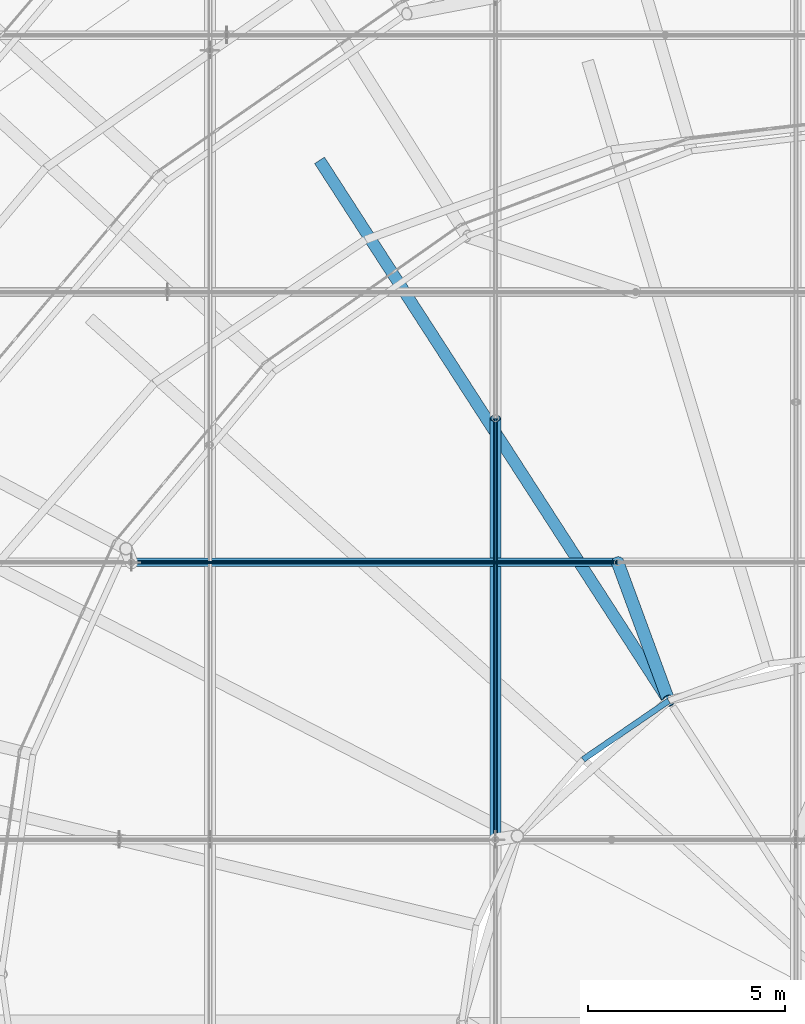
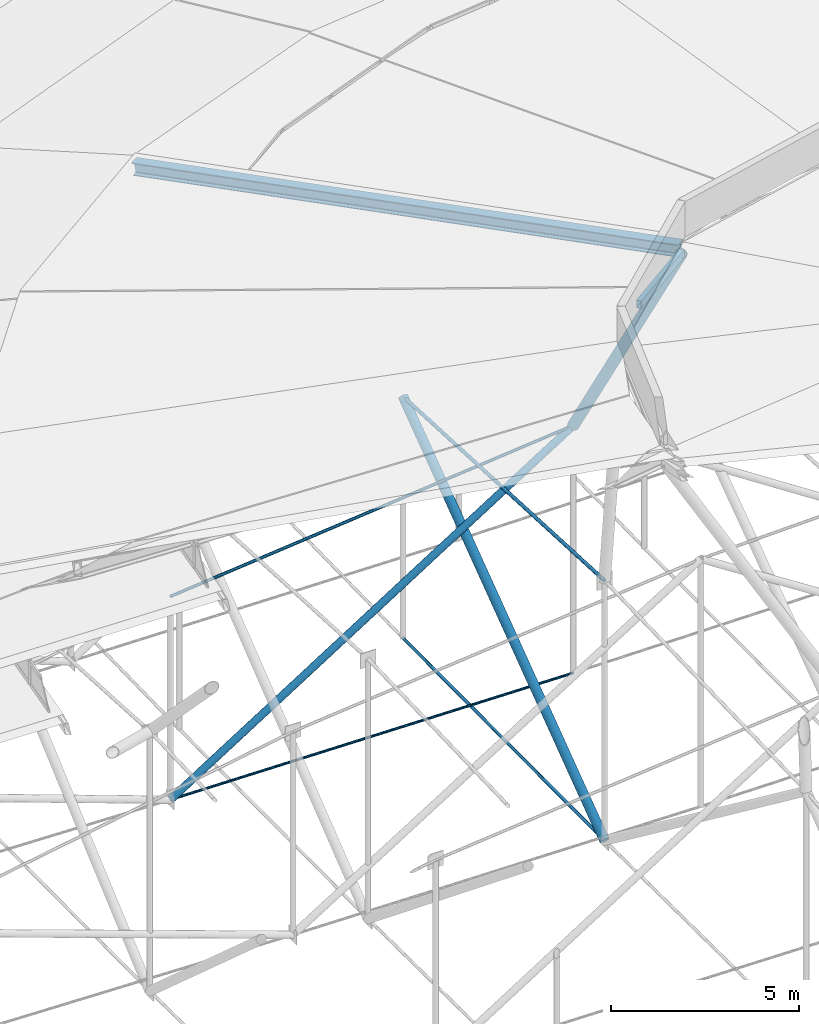
# One storey, part 62 of 173: 9 members.
"""IFC4 building model written with IfcOpenShell, lengths in metres."""

import ifcopenshell
import ifcopenshell.guid

model = None  # the IFC model being written
_history = None  # IfcOwnerHistory: only IFC2X3 demands one
_inside = {}  # id of a spatial element -> (the spatial element, [elements in it])
_under = {}  # id of a project, library or spatial element -> (it, [spatial elements below it])
_declared = {}  # id of a project -> (the project, [libraries it declares])
_typed = {}  # id of a type object -> (the type object, [elements of that type])
_made_of = {}  # id of a material, layer set ... -> (it, [elements and type objects made of it])


def new_model(schema):
    """Start an empty IFC model of exactly this schema.

    Asked for "IFC4X3", IfcOpenShell would pick the latest addendum, in which some entities
    have other attributes; the version numbers below select the first issue.
    IFC2X3 requires an IfcOwnerHistory on every rooted entity: one is made here for all.
    """
    global model, _history
    if schema == "IFC4X3":
        model = ifcopenshell.file(schema_version=(4, 3, 0, 0))
    else:
        model = ifcopenshell.file(schema=schema)
    _inside.clear()
    _under.clear()
    _declared.clear()
    _typed.clear()
    _made_of.clear()
    _history = None
    if model.schema == "IFC2X3":
        org = make("IfcOrganization", Name="unknown")
        user = make(
            "IfcPersonAndOrganization",
            ThePerson=make("IfcPerson", FamilyName="unknown"),
            TheOrganization=org,
        )
        app = make(
            "IfcApplication",
            ApplicationDeveloper=org,
            Version="unknown",
            ApplicationFullName="unknown",
            ApplicationIdentifier="unknown",
        )
        _history = make(
            "IfcOwnerHistory",
            OwningUser=user,
            OwningApplication=app,
            ChangeAction="ADDED",
            CreationDate=0,
        )
    return model


def make(cls, **values):
    """One entity of the class cls with the attributes given. An attribute that is None is left unset."""
    return model.create_entity(
        cls, **{name: value for name, value in values.items() if value is not None}
    )


def rooted(cls, **values):
    """An entity with a GlobalId (a new one), such as an element, a storey or a relation."""
    return make(cls, GlobalId=ifcopenshell.guid.new(), OwnerHistory=_history, **values)


def si_unit(unit_type, name, prefix=None):
    """IfcSIUnit, for example si_unit("LENGTHUNIT", "METRE", prefix="MILLI")."""
    return make("IfcSIUnit", UnitType=unit_type, Prefix=prefix, Name=name)


def assignment(units):
    """IfcUnitAssignment: the units of a project."""
    return None if units is None else make("IfcUnitAssignment", Units=units)


def point(xyz):
    """IfcCartesianPoint."""
    return None if xyz is None else make("IfcCartesianPoint", Coordinates=xyz)


def direction(xyz):
    """IfcDirection."""
    return None if xyz is None else make("IfcDirection", DirectionRatios=xyz)


def frame(location, z_axis=None, x_axis=None):
    """IfcAxis2Placement3D, a coordinate frame: its origin and axes. An axis left out is left unset."""
    return make(
        "IfcAxis2Placement3D",
        Location=point(location),
        Axis=direction(z_axis),
        RefDirection=direction(x_axis),
    )


def frame_2d(location, x_axis=None):
    """IfcAxis2Placement2D, a coordinate frame in the plane: its origin and x axis."""
    return make(
        "IfcAxis2Placement2D", Location=point(location), RefDirection=direction(x_axis)
    )


def origin():
    """The frame at (0, 0, 0) with its axes left unset."""
    return frame((0.0, 0.0, 0.0))


def origin_2d():
    """The frame at (0, 0) in the plane with its x axis left unset."""
    return frame_2d((0.0, 0.0))


def place(relative_to, where):
    """IfcLocalPlacement: puts the frame where relative to a parent placement (None: the world)."""
    return make(
        "IfcLocalPlacement", PlacementRelTo=relative_to, RelativePlacement=where
    )


def context(
    kind, dimensions, precision=None, world=None, true_north=None, identifier=None
):
    """IfcGeometricRepresentationContext, for example the 3D "Model" context."""
    return make(
        "IfcGeometricRepresentationContext",
        ContextIdentifier=identifier,
        ContextType=kind,
        CoordinateSpaceDimension=dimensions,
        Precision=precision,
        WorldCoordinateSystem=world,
        TrueNorth=true_north,
    )


def subcontext(parent, identifier, kind, view, scale=None):
    """IfcGeometricRepresentationSubContext, for example "Body" below "Model"."""
    return make(
        "IfcGeometricRepresentationSubContext",
        ContextIdentifier=identifier,
        ContextType=kind,
        ParentContext=parent,
        TargetScale=scale,
        TargetView=view,
    )


def project(units=None, contexts=None):
    """IfcProject with its units and contexts."""
    return rooted(
        "IfcProject",
        Name="project",
        RepresentationContexts=contexts,
        UnitsInContext=assignment(units),
    )


def spatial(cls, under=None, at=None, **own):
    """A site, building, storey or space (cls), placed at a placement, below another one or the project."""
    s = rooted(cls, ObjectPlacement=at, **own)
    if under is not None:
        _under.setdefault(under.id(), (under, []))[1].append(s)
    return s


def profile(cls, at=None, kind="AREA", **sizes):
    """A parametric profile (cls). Its sizes go by their IFC names, for example OverallWidth=200.0."""
    return make(cls, ProfileType=kind, Position=at, **sizes)


def hollow_rectangle(**sizes):
    """IfcRectangleHollowProfileDef."""
    return profile("IfcRectangleHollowProfileDef", **sizes)


def circle(**sizes):
    """IfcCircleProfileDef."""
    return profile("IfcCircleProfileDef", **sizes)


def hollow_circle(**sizes):
    """IfcCircleHollowProfileDef."""
    return profile("IfcCircleHollowProfileDef", **sizes)


def i_section(**sizes):
    """IfcIShapeProfileDef."""
    return profile("IfcIShapeProfileDef", **sizes)


def extrude(swept, where, along, depth):
    """IfcExtrudedAreaSolid: the profile swept, set in the frame where, extruded along a direction by depth."""
    return make(
        "IfcExtrudedAreaSolid",
        SweptArea=swept,
        Position=where,
        ExtrudedDirection=direction(along),
        Depth=depth,
    )


def shape(context_of_items, identifier, shape_type, items):
    """IfcShapeRepresentation: the items that make up one representation, for example the "Body"."""
    return make(
        "IfcShapeRepresentation",
        ContextOfItems=context_of_items,
        RepresentationIdentifier=identifier,
        RepresentationType=shape_type,
        Items=items,
    )


def material(Name=None, Category=None):
    """IfcMaterial."""
    return make("IfcMaterial", Name=Name, Category=Category)


def material_profile(
    of_material, cross_section, Name=None, Category=None, Priority=None
):
    """IfcMaterialProfile: a cross section and its material."""
    return make(
        "IfcMaterialProfile",
        Name=Name,
        Material=of_material,
        Profile=cross_section,
        Priority=Priority,
        Category=Category,
    )


def profile_set(profiles, Name=None, composite=None):
    """IfcMaterialProfileSet."""
    return make(
        "IfcMaterialProfileSet",
        Name=Name,
        MaterialProfiles=profiles,
        CompositeProfile=composite,
    )


def made_of(thing, what):
    """Note that an element or type object is made of a material, layer set ...; save() writes the relation."""
    if what is not None:
        _made_of.setdefault(what.id(), (what, []))[1].append(thing)
    return thing


def type_object(cls, material=None, **own):
    """A type object (cls), such as IfcWallType, which elements share."""
    return made_of(rooted(cls, **own), material)


def element(
    cls,
    number,
    at=None,
    inside=None,
    cuts=None,
    type_object=None,
    material=None,
    context=None,
    identifier="Body",
    shape_type=None,
    held_by="IfcProductDefinitionShape",
    body=None,
    shapes=None,
    **own,
):
    """One element of the class cls, such as IfcWall. Its Tag is "e" and its number.

    at: its placement. inside: the storey or other place that contains it. cuts: it is an
    opening in that element (IfcRelVoidsElement). A single representation is given by context,
    identifier, shape_type and body (its items); several are given by shapes. held_by: the class
    of the entity that holds the representations. save() writes the other relations.
    """
    e = rooted(cls, Tag="e%d" % number, ObjectPlacement=at, **own)
    if body is not None:
        shapes = [shape(context, identifier, shape_type, body)]
    if shapes is not None:
        e.Representation = make(held_by, Representations=shapes)
    if inside is not None:
        _inside.setdefault(inside.id(), (inside, []))[1].append(e)
    if cuts is not None:
        rooted(
            "IfcRelVoidsElement", RelatingBuildingElement=cuts, RelatedOpeningElement=e
        )
    if type_object is not None:
        _typed.setdefault(type_object.id(), (type_object, []))[1].append(e)
    return made_of(e, material)


def aggregate(whole, parts):
    """IfcRelAggregates: a whole, such as a stair, and the parts it consists of."""
    return rooted("IfcRelAggregates", RelatingObject=whole, RelatedObjects=parts)


def save(model, path):
    """Write the relations noted so far, then the file.

    IfcRelAggregates (storeys below a building ...), IfcRelContainedInSpatialStructure (elements
    in a storey), IfcRelDefinesByType, IfcRelAssociatesMaterial and IfcRelDeclares: one each for
    every whole, place, type object, material and project.
    """
    for whole, parts in _under.values():
        aggregate(whole, parts)
    for where, things in _inside.values():
        rooted(
            "IfcRelContainedInSpatialStructure",
            RelatedElements=things,
            RelatingStructure=where,
        )
    for kind, things in _typed.values():
        rooted("IfcRelDefinesByType", RelatedObjects=things, RelatingType=kind)
    for what, things in _made_of.values():
        rooted("IfcRelAssociatesMaterial", RelatedObjects=things, RelatingMaterial=what)
    for by, libraries in _declared.values():
        rooted("IfcRelDeclares", RelatingContext=by, RelatedDefinitions=libraries)
    model.write(path)


model = new_model("IFC4")

# Units and contexts
model_context = context("Model", 3, precision=1e-05, world=origin(), true_north=direction((0.0, 1.0)))
body_context = subcontext(model_context, "Body", "Model", "MODEL_VIEW")
ifc_project = project(units=[si_unit("LENGTHUNIT", "METRE"), si_unit("AREAUNIT", "SQUARE_METRE"), si_unit("VOLUMEUNIT", "CUBIC_METRE"), si_unit("PLANEANGLEUNIT", "RADIAN"), si_unit("MASSUNIT", "GRAM", prefix="KILO")], contexts=[model_context])

# Site, building, storey
site_placement = place(None, origin())
site = spatial("IfcSite", under=ifc_project, at=site_placement, CompositionType="ELEMENT")
building_placement = place(site_placement, origin())
building = spatial("IfcBuilding", under=site, at=building_placement, Name="Glasvene Arena", CompositionType="ELEMENT")
storey_placement = place(building_placement, frame((0.0, 0.0, 28.800048828125)))
storey = spatial("IfcBuildingStorey", under=building, at=storey_placement, Name="RF", CompositionType="ELEMENT", Elevation=28.800048828125)

# Members
ifc_material_1 = material(Name="High-strength steel spiral strand S460", Category="steel")
ifc_material_profile_1 = material_profile(ifc_material_1, circle(Radius=0.052490234375, at=origin_2d()), Name="LCSS D105")
ifc_profile_set_1 = profile_set([ifc_material_profile_1], Name="High-strength steel spiral strand S460")
member_type_1 = type_object("IfcMemberType", Name="MB-CABLE-105", PredefinedType="USERDEFINED", material=ifc_profile_set_1)
member_1_placement = place(storey_placement, frame((76.54931640625, 73.0, 6.02001953125), z_axis=(0.0, 0.998817674333, -0.048613305176), x_axis=(-1.0, 0.0, 0.0)))
element("IfcMember", 1, at=member_1_placement, inside=storey, type_object=member_type_1, Name="Upper lens roof cable NS07-05", ObjectType="ROOF CABLE", PredefinedType="USERDEFINED", context=body_context, shape_type="SweptSolid", body=[
    extrude(circle(Radius=0.052490234375, at=origin_2d()), origin(), (0.0, 0.0, 1.0), 10.712158203125),
])
ifc_material_profile_2 = material_profile(ifc_material_1, circle(Radius=0.03759765625, at=origin_2d()), Name="LCSS D75")
ifc_profile_set_2 = profile_set([ifc_material_profile_2], Name="High-strength steel spiral strand S460")
member_type_2 = type_object("IfcMemberType", Name="MB-CABLE-75", PredefinedType="USERDEFINED", material=ifc_profile_set_2)
member_2_placement = place(storey_placement, frame((67.307861328125, 80.03955078125, -2.112548828125), z_axis=(0.999847586519, 0.0, -0.017458629178), x_axis=(0.0, 1.0, 0.0)))
element("IfcMember", 2, at=member_2_placement, inside=storey, type_object=member_type_2, Name="Lower stabilization roof cable EW05-03", ObjectType="ROOF CABLE", PredefinedType="USERDEFINED", context=body_context, shape_type="SweptSolid", body=[
    extrude(circle(Radius=0.03759765625, at=origin_2d()), origin(), (0.0, 0.0, 1.0), 12.347900390625),
])
ifc_material_profile_3 = material_profile(ifc_material_1, circle(Radius=0.044921875, at=origin_2d()), Name="LCSS D90")
ifc_profile_set_3 = profile_set([ifc_material_profile_3], Name="High-strength steel spiral strand S460")
member_type_3 = type_object("IfcMemberType", Name="MB-CABLE-90", PredefinedType="USERDEFINED", material=ifc_profile_set_3)
member_3_placement = place(storey_placement, frame((76.54931640625, 73.0, -2.400146484375), z_axis=(0.0, 0.999977345451, 0.006731165246), x_axis=(-1.0, 0.0, 0.0)))
element("IfcMember", 3, at=member_3_placement, inside=storey, type_object=member_type_3, Name="Lower stabilization roof cable NS07-05", ObjectType="ROOF CABLE", PredefinedType="USERDEFINED", context=body_context, shape_type="SweptSolid", body=[
    extrude(circle(Radius=0.044921875, at=origin_2d()), origin(), (0.0, 0.0, 1.0), 10.69970703125),
])
member_4_placement = place(storey_placement, frame((67.307861328125, 80.03955078125, 4.472900390625), z_axis=(0.995172455796, 0.0, 0.098141648778), x_axis=(0.0, 1.0, 0.0)))
element("IfcMember", 4, at=member_4_placement, inside=storey, type_object=member_type_3, Name="Upper lens roof cable EW05-03", ObjectType="ROOF CABLE", PredefinedType="USERDEFINED", context=body_context, shape_type="SweptSolid", body=[
    extrude(circle(Radius=0.044921875, at=origin_2d()), origin(), (0.0, 0.0, 1.0), 12.40576171875),
])
ifc_material_2 = material(Name="Steel S355J2", Category="steel")
ifc_material_profile_4 = material_profile(ifc_material_2, i_section(OverallWidth=0.300048828125, OverallDepth=0.39990234375, WebThickness=0.013427734375, FlangeThickness=0.02392578125, FilletRadius=0.027099609375, at=origin_2d()), Name="HEB 400")
ifc_profile_set_4 = profile_set([ifc_material_profile_4], Name="Steel S355J2")
member_type_4 = type_object("IfcMemberType", Name="MB-CHORD-HEB400", PredefinedType="CHORD", material=ifc_profile_set_4)
member_5_placement = place(storey_placement, frame((72.10009765625, 90.223876953125, 10.550048828125), z_axis=(0.53615140253, -0.829866940929, 0.154475026843), x_axis=(0.839949107634, 0.542665179079, 0.0)))
element("IfcMember", 5, at=member_5_placement, inside=storey, type_object=member_type_4, Name="Petal ring 5 radial rib 09", PredefinedType="CHORD", context=body_context, shape_type="SweptSolid", body=[
    extrude(i_section(OverallWidth=0.300048828125, OverallDepth=0.39990234375, WebThickness=0.013427734375, FlangeThickness=0.02392578125, FilletRadius=0.027099609375, at=origin_2d()), origin(), (0.0, 0.0, 1.0), 16.50634765625),
])
ifc_material_profile_5 = material_profile(ifc_material_2, hollow_circle(Radius=0.161865234375, WallThickness=0.01611328125, at=origin_2d()), Name="CHS 323.9x16.0")
ifc_profile_set_5 = profile_set([ifc_material_profile_5], Name="Steel S355J2")
member_type_5 = type_object("IfcMemberType", Name="MB-POST-CHS324", PredefinedType="BRACE", material=ifc_profile_set_5)
member_6_placement = place(storey_placement, frame((79.65380859375, 80.03955078125, 5.6904296875), z_axis=(0.158639465485, -0.430050703948, 0.88875751025), x_axis=(0.93820168931, 0.3460889917, 0.0)))
element("IfcMember", 6, at=member_6_placement, inside=storey, type_object=member_type_5, Name="Petal ring 5 ridge support post 09", PredefinedType="BRACE", context=body_context, shape_type="SweptSolid", body=[
    extrude(hollow_circle(Radius=0.161865234375, WallThickness=0.01611328125, at=origin_2d()), origin(), (0.0, 0.0, 1.0), 8.17041015625),
])
ifc_material_profile_6 = material_profile(ifc_material_2, hollow_rectangle(XDim=0.14990234375, YDim=0.25, WallThickness=0.010009765625, at=origin_2d()), Name="RHS 250x150x10.0")
ifc_profile_set_6 = profile_set([ifc_material_profile_6], Name="Steel S355J2")
member_type_6 = type_object("IfcMemberType", Name="MB-PURLIN-RHS250", PredefinedType="PURLIN", material=ifc_profile_set_6)
member_7_placement = place(storey_placement, frame((80.949951171875, 76.52587890625, 12.951904296875), z_axis=(-0.824757231308, -0.56548696661, 0.0), x_axis=(0.56548696661, -0.824757231308, 0.0)))
element("IfcMember", 7, at=member_7_placement, inside=storey, type_object=member_type_6, Name="Petal ring 5 ridge purlin 09", PredefinedType="PURLIN", context=body_context, shape_type="SweptSolid", body=[
    extrude(hollow_rectangle(XDim=0.14990234375, YDim=0.25, WallThickness=0.010009765625, at=origin_2d()), origin(), (0.0, 0.0, 1.0), 2.63671875),
])
ifc_material_profile_7 = material_profile(ifc_material_2, hollow_circle(Radius=0.109619140625, WallThickness=0.010009765625, at=origin_2d()), Name="CHS 219.1x10.0")
ifc_profile_set_7 = profile_set([ifc_material_profile_7], Name="Steel S355J2")
member_type_7 = type_object("IfcMemberType", Name="MB-WEB-CHS219", PredefinedType="BRACE", material=ifc_profile_set_7)
member_8_placement = place(storey_placement, frame((67.307861328125, 80.03955078125, -2.112548828125), z_axis=(0.845317659991, 0.0, 0.534264029958), x_axis=(0.0, 1.0, 0.0)))
element("IfcMember", 8, at=member_8_placement, inside=storey, type_object=member_type_7, Name="Cable-truss diagonal web strut EW05-03", PredefinedType="BRACE", context=body_context, shape_type="SweptSolid", body=[
    extrude(hollow_circle(Radius=0.109619140625, WallThickness=0.010009765625, at=origin_2d()), origin(), (0.0, 0.0, 1.0), 14.60498046875),
])
ifc_material_profile_8 = material_profile(ifc_material_2, hollow_circle(Radius=0.136474609375, WallThickness=0.012451171875, at=origin_2d()), Name="CHS 273.0x12.5")
ifc_profile_set_8 = profile_set([ifc_material_profile_8], Name="Steel S355J2")
member_type_8 = type_object("IfcMemberType", Name="MB-WEB-CHS273", PredefinedType="BRACE", material=ifc_profile_set_8)
member_9_placement = place(storey_placement, frame((76.54931640625, 73.0, -2.400146484375), z_axis=(0.0, 0.804495342897, 0.593958957553), x_axis=(-1.0, 0.0, 0.0)))
element("IfcMember", 9, at=member_9_placement, inside=storey, type_object=member_type_8, Name="Cable-truss diagonal web strut NS07-05", PredefinedType="BRACE", context=body_context, shape_type="SweptSolid", body=[
    extrude(hollow_circle(Radius=0.136474609375, WallThickness=0.012451171875, at=origin_2d()), origin(), (0.0, 0.0, 1.0), 13.299560546875),
])

save(model, "model.ifc")
